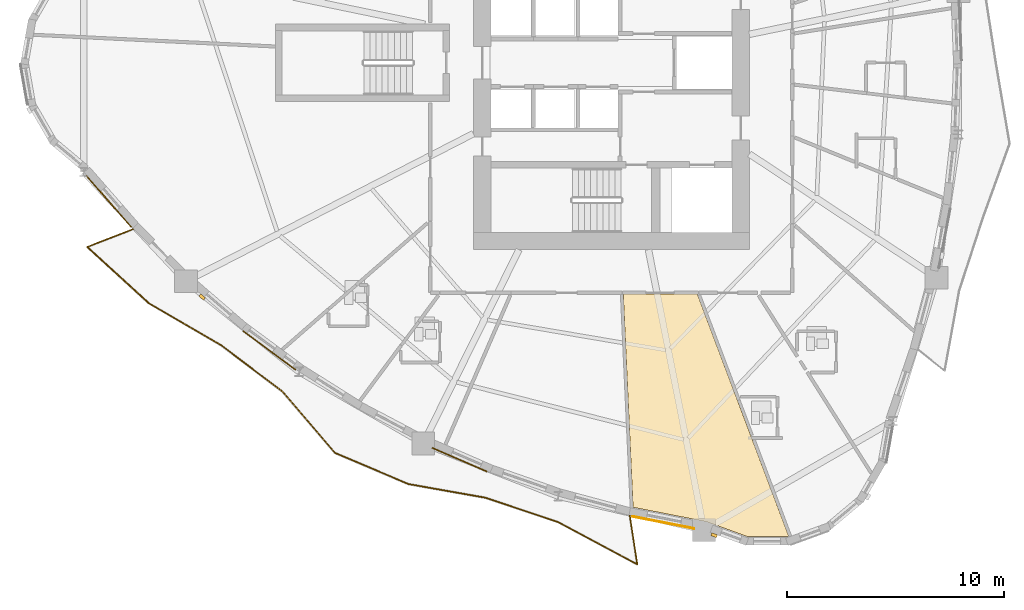
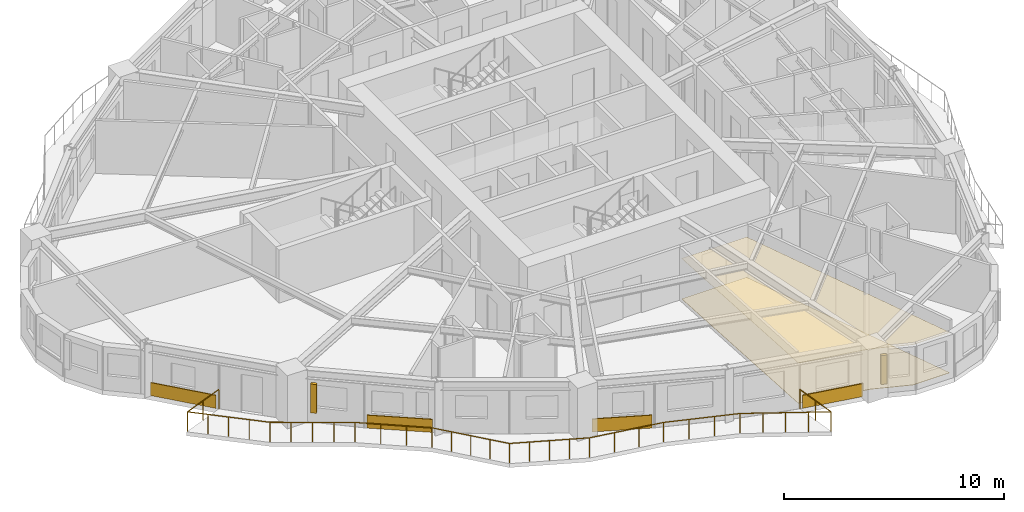
# One storey, part 11 of 14: 6 coverings, 2 shading devices, 1 railing.
"""IFC4 building model written with IfcOpenShell, lengths in metres."""

import ifcopenshell
import ifcopenshell.guid

model = None  # the IFC model being written
_history = None  # IfcOwnerHistory: only IFC2X3 demands one
_inside = {}  # id of a spatial element -> (the spatial element, [elements in it])
_under = {}  # id of a project, library or spatial element -> (it, [spatial elements below it])
_declared = {}  # id of a project -> (the project, [libraries it declares])
_typed = {}  # id of a type object -> (the type object, [elements of that type])
_made_of = {}  # id of a material, layer set ... -> (it, [elements and type objects made of it])


def new_model(schema):
    """Start an empty IFC model of exactly this schema.

    Asked for "IFC4X3", IfcOpenShell would pick the latest addendum, in which some entities
    have other attributes; the version numbers below select the first issue.
    IFC2X3 requires an IfcOwnerHistory on every rooted entity: one is made here for all.
    """
    global model, _history
    if schema == "IFC4X3":
        model = ifcopenshell.file(schema_version=(4, 3, 0, 0))
    else:
        model = ifcopenshell.file(schema=schema)
    _inside.clear()
    _under.clear()
    _declared.clear()
    _typed.clear()
    _made_of.clear()
    _history = None
    if model.schema == "IFC2X3":
        org = make("IfcOrganization", Name="unknown")
        user = make(
            "IfcPersonAndOrganization",
            ThePerson=make("IfcPerson", FamilyName="unknown"),
            TheOrganization=org,
        )
        app = make(
            "IfcApplication",
            ApplicationDeveloper=org,
            Version="unknown",
            ApplicationFullName="unknown",
            ApplicationIdentifier="unknown",
        )
        _history = make(
            "IfcOwnerHistory",
            OwningUser=user,
            OwningApplication=app,
            ChangeAction="ADDED",
            CreationDate=0,
        )
    return model


def make(cls, **values):
    """One entity of the class cls with the attributes given. An attribute that is None is left unset."""
    return model.create_entity(
        cls, **{name: value for name, value in values.items() if value is not None}
    )


def rooted(cls, **values):
    """An entity with a GlobalId (a new one), such as an element, a storey or a relation."""
    return make(cls, GlobalId=ifcopenshell.guid.new(), OwnerHistory=_history, **values)


def si_unit(unit_type, name, prefix=None):
    """IfcSIUnit, for example si_unit("LENGTHUNIT", "METRE", prefix="MILLI")."""
    return make("IfcSIUnit", UnitType=unit_type, Prefix=prefix, Name=name)


def assignment(units):
    """IfcUnitAssignment: the units of a project."""
    return None if units is None else make("IfcUnitAssignment", Units=units)


def point(xyz):
    """IfcCartesianPoint."""
    return None if xyz is None else make("IfcCartesianPoint", Coordinates=xyz)


def direction(xyz):
    """IfcDirection."""
    return None if xyz is None else make("IfcDirection", DirectionRatios=xyz)


def frame(location, z_axis=None, x_axis=None):
    """IfcAxis2Placement3D, a coordinate frame: its origin and axes. An axis left out is left unset."""
    return make(
        "IfcAxis2Placement3D",
        Location=point(location),
        Axis=direction(z_axis),
        RefDirection=direction(x_axis),
    )


def frame_2d(location, x_axis=None):
    """IfcAxis2Placement2D, a coordinate frame in the plane: its origin and x axis."""
    return make(
        "IfcAxis2Placement2D", Location=point(location), RefDirection=direction(x_axis)
    )


def origin():
    """The frame at (0, 0, 0) with its axes left unset."""
    return frame((0.0, 0.0, 0.0))


def origin_2d():
    """The frame at (0, 0) in the plane with its x axis left unset."""
    return frame_2d((0.0, 0.0))


def place(relative_to, where):
    """IfcLocalPlacement: puts the frame where relative to a parent placement (None: the world)."""
    return make(
        "IfcLocalPlacement", PlacementRelTo=relative_to, RelativePlacement=where
    )


def context(
    kind, dimensions, precision=None, world=None, true_north=None, identifier=None
):
    """IfcGeometricRepresentationContext, for example the 3D "Model" context."""
    return make(
        "IfcGeometricRepresentationContext",
        ContextIdentifier=identifier,
        ContextType=kind,
        CoordinateSpaceDimension=dimensions,
        Precision=precision,
        WorldCoordinateSystem=world,
        TrueNorth=true_north,
    )


def subcontext(parent, identifier, kind, view, scale=None):
    """IfcGeometricRepresentationSubContext, for example "Body" below "Model"."""
    return make(
        "IfcGeometricRepresentationSubContext",
        ContextIdentifier=identifier,
        ContextType=kind,
        ParentContext=parent,
        TargetScale=scale,
        TargetView=view,
    )


def project(units=None, contexts=None):
    """IfcProject with its units and contexts."""
    return rooted(
        "IfcProject",
        Name="project",
        RepresentationContexts=contexts,
        UnitsInContext=assignment(units),
    )


def spatial(cls, under=None, at=None, **own):
    """A site, building, storey or space (cls), placed at a placement, below another one or the project."""
    s = rooted(cls, ObjectPlacement=at, **own)
    if under is not None:
        _under.setdefault(under.id(), (under, []))[1].append(s)
    return s


def polyline(points):
    """IfcPolyline through the points."""
    return make("IfcPolyline", Points=[point(p) for p in points])


def profile(cls, at=None, kind="AREA", **sizes):
    """A parametric profile (cls). Its sizes go by their IFC names, for example OverallWidth=200.0."""
    return make(cls, ProfileType=kind, Position=at, **sizes)


def rectangle(**sizes):
    """IfcRectangleProfileDef."""
    return profile("IfcRectangleProfileDef", **sizes)


def circle(**sizes):
    """IfcCircleProfileDef."""
    return profile("IfcCircleProfileDef", **sizes)


def outline(outer, holes=None, kind="AREA"):
    """IfcArbitraryClosedProfileDef: a profile drawn as a closed curve; with holes, ...WithVoids."""
    if holes is None:
        return make("IfcArbitraryClosedProfileDef", ProfileType=kind, OuterCurve=outer)
    return make(
        "IfcArbitraryProfileDefWithVoids",
        ProfileType=kind,
        OuterCurve=outer,
        InnerCurves=holes,
    )


def extrude(swept, where, along, depth):
    """IfcExtrudedAreaSolid: the profile swept, set in the frame where, extruded along a direction by depth."""
    return make(
        "IfcExtrudedAreaSolid",
        SweptArea=swept,
        Position=where,
        ExtrudedDirection=direction(along),
        Depth=depth,
    )


def shape(context_of_items, identifier, shape_type, items):
    """IfcShapeRepresentation: the items that make up one representation, for example the "Body"."""
    return make(
        "IfcShapeRepresentation",
        ContextOfItems=context_of_items,
        RepresentationIdentifier=identifier,
        RepresentationType=shape_type,
        Items=items,
    )


def source(mapping_origin, context_of_items, identifier, shape_type, items):
    """IfcRepresentationMap: a shape defined once, which mapped items show again and again."""
    return make(
        "IfcRepresentationMap",
        MappingOrigin=mapping_origin,
        MappedRepresentation=shape(context_of_items, identifier, shape_type, items),
    )


def transform(
    local_origin,
    x_axis=None,
    y_axis=None,
    z_axis=None,
    scale=None,
    scale2=None,
    scale3=None,
    uniform=True,
):
    """IfcCartesianTransformationOperator3D, or its non-uniform kind. x_axis, y_axis, z_axis: its Axis1, 2, 3."""
    if uniform:
        return make(
            "IfcCartesianTransformationOperator3D",
            Axis1=direction(x_axis),
            Axis2=direction(y_axis),
            LocalOrigin=point(local_origin),
            Scale=scale,
            Axis3=direction(z_axis),
        )
    return make(
        "IfcCartesianTransformationOperator3DnonUniform",
        Axis1=direction(x_axis),
        Axis2=direction(y_axis),
        LocalOrigin=point(local_origin),
        Scale=scale,
        Axis3=direction(z_axis),
        Scale2=scale2,
        Scale3=scale3,
    )


def mapped(mapping_source, mapping_target):
    """IfcMappedItem: shows the shape of a source again, moved by a transform."""
    return make(
        "IfcMappedItem", MappingSource=mapping_source, MappingTarget=mapping_target
    )


def material(Name=None, Category=None):
    """IfcMaterial."""
    return make("IfcMaterial", Name=Name, Category=Category)


def layer(
    of_material, thickness, ventilated=None, Name=None, Category=None, Priority=None
):
    """IfcMaterialLayer: one layer of a wall or slab, of a material (None: an air gap)."""
    return make(
        "IfcMaterialLayer",
        Material=of_material,
        LayerThickness=thickness,
        IsVentilated=ventilated,
        Name=Name,
        Category=Category,
        Priority=Priority,
    )


def layer_set(layers, Name=None):
    """IfcMaterialLayerSet."""
    return make("IfcMaterialLayerSet", MaterialLayers=layers, LayerSetName=Name)


def made_of(thing, what):
    """Note that an element or type object is made of a material, layer set ...; save() writes the relation."""
    if what is not None:
        _made_of.setdefault(what.id(), (what, []))[1].append(thing)
    return thing


def type_object(cls, material=None, **own):
    """A type object (cls), such as IfcWallType, which elements share."""
    return made_of(rooted(cls, **own), material)


def element(
    cls,
    number,
    at=None,
    inside=None,
    cuts=None,
    type_object=None,
    material=None,
    context=None,
    identifier="Body",
    shape_type=None,
    held_by="IfcProductDefinitionShape",
    body=None,
    shapes=None,
    **own,
):
    """One element of the class cls, such as IfcWall. Its Tag is "e" and its number.

    at: its placement. inside: the storey or other place that contains it. cuts: it is an
    opening in that element (IfcRelVoidsElement). A single representation is given by context,
    identifier, shape_type and body (its items); several are given by shapes. held_by: the class
    of the entity that holds the representations. save() writes the other relations.
    """
    e = rooted(cls, Tag="e%d" % number, ObjectPlacement=at, **own)
    if body is not None:
        shapes = [shape(context, identifier, shape_type, body)]
    if shapes is not None:
        e.Representation = make(held_by, Representations=shapes)
    if inside is not None:
        _inside.setdefault(inside.id(), (inside, []))[1].append(e)
    if cuts is not None:
        rooted(
            "IfcRelVoidsElement", RelatingBuildingElement=cuts, RelatedOpeningElement=e
        )
    if type_object is not None:
        _typed.setdefault(type_object.id(), (type_object, []))[1].append(e)
    return made_of(e, material)


def aggregate(whole, parts):
    """IfcRelAggregates: a whole, such as a stair, and the parts it consists of."""
    return rooted("IfcRelAggregates", RelatingObject=whole, RelatedObjects=parts)


def save(model, path):
    """Write the relations noted so far, then the file.

    IfcRelAggregates (storeys below a building ...), IfcRelContainedInSpatialStructure (elements
    in a storey), IfcRelDefinesByType, IfcRelAssociatesMaterial and IfcRelDeclares: one each for
    every whole, place, type object, material and project.
    """
    for whole, parts in _under.values():
        aggregate(whole, parts)
    for where, things in _inside.values():
        rooted(
            "IfcRelContainedInSpatialStructure",
            RelatedElements=things,
            RelatingStructure=where,
        )
    for kind, things in _typed.values():
        rooted("IfcRelDefinesByType", RelatedObjects=things, RelatingType=kind)
    for what, things in _made_of.values():
        rooted("IfcRelAssociatesMaterial", RelatedObjects=things, RelatingMaterial=what)
    for by, libraries in _declared.values():
        rooted("IfcRelDeclares", RelatingContext=by, RelatedDefinitions=libraries)
    model.write(path)


model = new_model("IFC4")

# Units and contexts
model_context = context("Model", 3, precision=1e-05, world=origin(), true_north=direction((0.0, 1.0)))
body_context = subcontext(model_context, "Body", "Model", "MODEL_VIEW")
ifc_project = project(units=[si_unit("LENGTHUNIT", "METRE"), si_unit("AREAUNIT", "SQUARE_METRE"), si_unit("VOLUMEUNIT", "CUBIC_METRE"), si_unit("PLANEANGLEUNIT", "RADIAN"), si_unit("MASSUNIT", "GRAM", prefix="KILO")], contexts=[model_context])

# Site, building, storey
site_placement = place(None, origin())
site = spatial("IfcSite", under=ifc_project, at=site_placement, CompositionType="ELEMENT")
building_placement = place(site_placement, origin())
building = spatial("IfcBuilding", under=site, at=building_placement, Name="Qafzar Sky-Pleat Residences", CompositionType="ELEMENT")
storey_placement = place(building_placement, frame((0.0, 0.0, 39.800048828125)))
storey = spatial("IfcBuildingStorey", under=building, at=storey_placement, Name="L11", CompositionType="ELEMENT", Elevation=39.800048828125)

# Coverings
ifc_material_1 = material(Name="Perforated acoustic gypsum board ceiling")
ifc_layer_1 = layer(ifc_material_1, 0.02001953125)
ifc_layer_set_1 = layer_set([ifc_layer_1], Name="Perforated acoustic gypsum board ceiling")
covering_type_1 = type_object("IfcCoveringType", Name="COV-CEIL-ACOUSTIC", PredefinedType="CEILING", material=ifc_layer_set_1)
covering_1_placement = place(storey_placement, frame((0.0, 0.0, 2.239990234375)))
element("IfcCovering", 1, at=covering_1_placement, inside=storey, type_object=covering_type_1, Name="L11 Co-Living Lounge Acoustic Ceiling", PredefinedType="CEILING", context=body_context, shape_type="SweptSolid", body=[
    extrude(outline(polyline([(38.4541015625, 4.203369140625), (36.580810546875, 4.203369140625), (34.72509765625, 4.87890625), (31.346923828125, 5.542724609375), (30.897216796875, 15.360107421875), (34.303955078125, 15.360107421875), (38.50927734375, 4.223388671875), (38.4541015625, 4.203369140625)])), origin(), (0.0, 0.0, 1.0), 0.02001953125),
])
ifc_material_2 = material(Name="Honed porcelain and Riyadh stone tile flooring", Category="masonry")
ifc_layer_2 = layer(ifc_material_2, 0.02001953125)
ifc_layer_set_2 = layer_set([ifc_layer_2], Name="Honed porcelain and Riyadh stone tile flooring")
covering_type_2 = type_object("IfcCoveringType", Name="COV-FLR-PORCELAIN", PredefinedType="FLOORING", material=ifc_layer_set_2)
covering_2_placement = place(storey_placement, origin())
element("IfcCovering", 2, at=covering_2_placement, inside=storey, type_object=covering_type_2, Name="L11 Co-Living Lounge Honed Stone Flooring", PredefinedType="FLOORING", context=body_context, shape_type="SweptSolid", body=[
    extrude(outline(polyline([(38.4541015625, 4.203369140625), (36.580810546875, 4.203369140625), (34.72509765625, 4.87890625), (31.346923828125, 5.542724609375), (30.897216796875, 15.360107421875), (34.303955078125, 15.360107421875), (38.50927734375, 4.223388671875), (38.4541015625, 4.203369140625)])), origin(), (0.0, 0.0, 1.0), 0.02001953125),
])

# Shading devices
ifc_material_3 = material(Name="Honed Riyadh limestone solar fin", Category="masonry")
ifc_layer_3 = layer(ifc_material_3, 0.139892578125)
ifc_layer_set_3 = layer_set([ifc_layer_3], Name="Honed Riyadh limestone solar fin")
shading_device_type = type_object("IfcShadingDeviceType", Name="SHD-FIN-STONE", PredefinedType="SHUTTER", material=ifc_layer_set_3)
shared_shape_1 = source(origin(), body_context, "Body", "SweptSolid", [
    extrude(rectangle(XDim=0.139892578125, YDim=0.280029296875, at=origin_2d()), origin(), (0.0, 0.0, 1.0), 1.60009765625),
])
for number, where, z_axis, x_axis, name in (
    (3, (11.516357421875, 15.2177734375, 0.599853515625), (0.0, 0.0, 1.0), (-0.652860043675, -0.757478556378, 0.0), "L11 Limestone Solar Fin 9"),
    (4, (35.080322265625, 4.254638671875, 0.599853515625), (0.0, 0.0, 1.0), (-0.342053959704, -0.939680311942, 0.0), "L11 Limestone Solar Fin 17"),
):
    element("IfcShadingDevice", number, at=place(storey_placement, frame(where, z_axis=z_axis, x_axis=x_axis)), inside=storey, type_object=shading_device_type, Name=name, PredefinedType="SHUTTER", context=body_context, shape_type="MappedRepresentation", body=[
        mapped(shared_shape_1, transform((0.0, 0.0, 0.0), x_axis=(1.0, 0.0, 0.0), y_axis=(0.0, 1.0, 0.0), z_axis=(0.0, 0.0, 1.0), scale=1.0)),
    ])

# Coverings
ifc_material_4 = material(Name="Honed Riyadh Tuwaiq limestone cladding", Category="masonry")
ifc_layer_4 = layer(ifc_material_4, 0.044921875)
ifc_layer_set_4 = layer_set([ifc_layer_4], Name="Honed Riyadh Tuwaiq limestone cladding")
covering_type_3 = type_object("IfcCoveringType", Name="COV-CLAD-STONE", PredefinedType="CLADDING", material=ifc_layer_set_4)
shared_shape_2 = source(origin(), body_context, "Body", "SweptSolid", [
    extrude(rectangle(XDim=2.750732421875, YDim=0.044921875, at=origin_2d()), origin(), (0.0, 0.0, 1.0), 0.719970703125),
])
covering_3_placement = place(storey_placement, frame((23.36083984375, 7.733154296875, 0.02001953125), z_axis=(0.0, 0.0, 1.0), x_axis=(0.917076298209, -0.398711754609, 0.0)))
element("IfcCovering", 5, at=covering_3_placement, inside=storey, type_object=covering_type_3, Name="L11 Riyadh Limestone Spandrel Cladding 13", PredefinedType="CLADDING", context=body_context, shape_type="MappedRepresentation", body=[
    mapped(shared_shape_2, transform((0.0, 0.0, 0.0), x_axis=(1.0, 0.0, 0.0), y_axis=(0.0, 1.0, 0.0), z_axis=(0.0, 0.0, 1.0), scale=1.0)),
])
shared_shape_3 = source(origin(), body_context, "Body", "SweptSolid", [
    extrude(rectangle(XDim=3.002685546875, YDim=0.044921875, at=origin_2d()), origin(), (0.0, 0.0, 1.0), 0.719970703125),
])
covering_4_placement = place(storey_placement, frame((14.612548828125, 12.765625, 0.02001953125), z_axis=(0.0, 0.0, 1.0), x_axis=(0.80380721377, -0.594889874759, 0.0)))
element("IfcCovering", 6, at=covering_4_placement, inside=storey, type_object=covering_type_3, Name="L11 Riyadh Limestone Spandrel Cladding 10", PredefinedType="CLADDING", context=body_context, shape_type="MappedRepresentation", body=[
    mapped(shared_shape_3, transform((0.0, 0.0, 0.0), x_axis=(1.0, 0.0, 0.0), y_axis=(0.0, 1.0, 0.0), z_axis=(0.0, 0.0, 1.0), scale=1.0)),
])

# Railing
ifc_material_5 = material(Name="Laminated glass and bronze steel balustrade", Category="steel")
railing_type = type_object("IfcRailingType", Name="RAIL-BAL-1100", PredefinedType="BALUSTRADE", material=ifc_material_5)
shared_shape_4 = source(origin(), body_context, "Body", "SweptSolid", [
    extrude(circle(Radius=0.02392578125, at=origin_2d()), frame((0.0, 0.0, 1.076171875), z_axis=(-0.93187749249, -0.362773123302, 0.0), x_axis=(0.362773123302, -0.93187749249, 0.0)), (0.0, 0.0, 1.0), 2.270751953125),
    extrude(circle(Radius=0.02392578125, at=origin_2d()), frame((-2.115966796875, -0.82373046875, 1.076171875), z_axis=(0.738061478164, -0.674733469194, 0.0), x_axis=(0.674733469194, 0.738061478164, 0.0)), (0.0, 0.0, 1.0), 3.828125),
    extrude(circle(Radius=0.02392578125, at=origin_2d()), frame((0.70947265625, -3.40673828125, 1.076171875), z_axis=(0.864034834145, -0.503432026577, 0.0), x_axis=(0.503432026577, 0.864034834145, 0.0)), (0.0, 0.0, 1.0), 3.873291015625),
    extrude(circle(Radius=0.02392578125, at=origin_2d()), frame((4.05615234375, -5.356689453125, 1.076171875), z_axis=(0.79850903917, -0.601982818994, 0.0), x_axis=(0.601982818994, 0.79850903917, 0.0)), (0.0, 0.0, 1.0), 3.523193359375),
    extrude(circle(Radius=0.02392578125, at=origin_2d()), frame((6.869384765625, -7.4775390625, 1.076171875), z_axis=(0.650483171252, -0.75952066721, 0.0), x_axis=(0.75952066721, 0.650483171252, 0.0)), (0.0, 0.0, 1.0), 3.718994140625),
    extrude(circle(Radius=0.02392578125, at=origin_2d()), frame((9.28857421875, -10.30224609375, 1.076171875), z_axis=(0.920642534408, -0.390406613466, 0.0), x_axis=(0.390406613466, 0.920642534408, 0.0)), (0.0, 0.0, 1.0), 3.677001953125),
    extrude(circle(Radius=0.02392578125, at=origin_2d()), frame((12.673828125, -11.73779296875, 1.076171875), z_axis=(0.984632373973, -0.174639881253, 0.0), x_axis=(0.174639881253, 0.984632373973, 0.0)), (0.0, 0.0, 1.0), 3.569091796875),
    extrude(circle(Radius=0.02392578125, at=origin_2d()), frame((16.18798828125, -12.361083984375, 1.076171875), z_axis=(0.948566262118, -0.316578657479, 0.0), x_axis=(0.316578657479, 0.948566262118, 0.0)), (0.0, 0.0, 1.0), 3.54833984375),
    extrude(circle(Radius=0.02392578125, at=origin_2d()), frame((19.5537109375, -13.484375, 1.076171875), z_axis=(0.881243003692, -0.472663483298, 0.0), x_axis=(0.472663483298, 0.881243003692, 0.0)), (0.0, 0.0, 1.0), 4.137451171875),
    extrude(circle(Radius=0.02392578125, at=origin_2d()), frame((23.19970703125, -15.43994140625, 1.076171875), z_axis=(-0.151798667183, 0.9884114349, 0.0), x_axis=(-0.9884114349, -0.151798667183, 0.0)), (0.0, 0.0, 1.0), 2.27099609375),
    extrude(circle(Radius=0.02099609375, at=origin_2d()), origin(), (0.0, 0.0, 1.0), 1.052001953125),
    extrude(circle(Radius=0.02099609375, at=origin_2d()), frame((-1.05810546875, -0.411865234375, 0.0)), (0.0, 0.0, 1.0), 1.052001953125),
    extrude(circle(Radius=0.02099609375, at=origin_2d()), frame((-2.115966796875, -0.82373046875, 0.0)), (0.0, 0.0, 1.0), 1.052001953125),
    extrude(circle(Radius=0.02099609375, at=origin_2d()), frame((-1.40966796875, -1.469482421875, 0.0)), (0.0, 0.0, 1.0), 1.052001953125),
    extrude(circle(Radius=0.02099609375, at=origin_2d()), frame((-0.703125, -2.115234375, 0.0)), (0.0, 0.0, 1.0), 1.052001953125),
    extrude(circle(Radius=0.02099609375, at=origin_2d()), frame((0.003173828125, -2.760986328125, 0.0)), (0.0, 0.0, 1.0), 1.052001953125),
    extrude(circle(Radius=0.02099609375, at=origin_2d()), frame((0.70947265625, -3.40673828125, 0.0)), (0.0, 0.0, 1.0), 1.052001953125),
    extrude(circle(Radius=0.02099609375, at=origin_2d()), frame((1.546142578125, -3.894287109375, 0.0)), (0.0, 0.0, 1.0), 1.052001953125),
    extrude(circle(Radius=0.02099609375, at=origin_2d()), frame((2.3828125, -4.3818359375, 0.0)), (0.0, 0.0, 1.0), 1.052001953125),
    extrude(circle(Radius=0.02099609375, at=origin_2d()), frame((3.219482421875, -4.869140625, 0.0)), (0.0, 0.0, 1.0), 1.052001953125),
    extrude(circle(Radius=0.02099609375, at=origin_2d()), frame((4.05615234375, -5.356689453125, 0.0)), (0.0, 0.0, 1.0), 1.052001953125),
    extrude(circle(Radius=0.02099609375, at=origin_2d()), frame((4.993896484375, -6.063720703125, 0.0)), (0.0, 0.0, 1.0), 1.052001953125),
    extrude(circle(Radius=0.02099609375, at=origin_2d()), frame((5.931640625, -6.7705078125, 0.0)), (0.0, 0.0, 1.0), 1.052001953125),
    extrude(circle(Radius=0.02099609375, at=origin_2d()), frame((6.869384765625, -7.4775390625, 0.0)), (0.0, 0.0, 1.0), 1.052001953125),
    extrude(circle(Radius=0.02099609375, at=origin_2d()), frame((7.47412109375, -8.18359375, 0.0)), (0.0, 0.0, 1.0), 1.052001953125),
    extrude(circle(Radius=0.02099609375, at=origin_2d()), frame((8.0791015625, -8.889892578125, 0.0)), (0.0, 0.0, 1.0), 1.052001953125),
    extrude(circle(Radius=0.02099609375, at=origin_2d()), frame((8.683837890625, -9.59619140625, 0.0)), (0.0, 0.0, 1.0), 1.052001953125),
    extrude(circle(Radius=0.02099609375, at=origin_2d()), frame((9.28857421875, -10.30224609375, 0.0)), (0.0, 0.0, 1.0), 1.052001953125),
    extrude(circle(Radius=0.02099609375, at=origin_2d()), frame((10.134765625, -10.6611328125, 0.0)), (0.0, 0.0, 1.0), 1.052001953125),
    extrude(circle(Radius=0.02099609375, at=origin_2d()), frame((10.981201171875, -11.02001953125, 0.0)), (0.0, 0.0, 1.0), 1.052001953125),
    extrude(circle(Radius=0.02099609375, at=origin_2d()), frame((11.82763671875, -11.37890625, 0.0)), (0.0, 0.0, 1.0), 1.052001953125),
    extrude(circle(Radius=0.02099609375, at=origin_2d()), frame((12.673828125, -11.73779296875, 0.0)), (0.0, 0.0, 1.0), 1.052001953125),
    extrude(circle(Radius=0.02099609375, at=origin_2d()), frame((13.84521484375, -11.945556640625, 0.0)), (0.0, 0.0, 1.0), 1.052001953125),
    extrude(circle(Radius=0.02099609375, at=origin_2d()), frame((15.0166015625, -12.1533203125, 0.0)), (0.0, 0.0, 1.0), 1.052001953125),
    extrude(circle(Radius=0.02099609375, at=origin_2d()), frame((16.18798828125, -12.361083984375, 0.0)), (0.0, 0.0, 1.0), 1.052001953125),
    extrude(circle(Radius=0.02099609375, at=origin_2d()), frame((17.309814453125, -12.735595703125, 0.0)), (0.0, 0.0, 1.0), 1.052001953125),
    extrude(circle(Radius=0.02099609375, at=origin_2d()), frame((18.431884765625, -13.10986328125, 0.0)), (0.0, 0.0, 1.0), 1.052001953125),
    extrude(circle(Radius=0.02099609375, at=origin_2d()), frame((19.5537109375, -13.484375, 0.0)), (0.0, 0.0, 1.0), 1.052001953125),
    extrude(circle(Radius=0.02099609375, at=origin_2d()), frame((20.46533203125, -13.97314453125, 0.0)), (0.0, 0.0, 1.0), 1.052001953125),
    extrude(circle(Radius=0.02099609375, at=origin_2d()), frame((21.376708984375, -14.462158203125, 0.0)), (0.0, 0.0, 1.0), 1.052001953125),
    extrude(circle(Radius=0.02099609375, at=origin_2d()), frame((22.2880859375, -14.951171875, 0.0)), (0.0, 0.0, 1.0), 1.052001953125),
    extrude(circle(Radius=0.02099609375, at=origin_2d()), frame((23.19970703125, -15.43994140625, 0.0)), (0.0, 0.0, 1.0), 1.052001953125),
    extrude(circle(Radius=0.02099609375, at=origin_2d()), frame((23.02734375, -14.317626953125, 0.0)), (0.0, 0.0, 1.0), 1.052001953125),
    extrude(circle(Radius=0.02099609375, at=origin_2d()), frame((22.85498046875, -13.1953125, 0.0)), (0.0, 0.0, 1.0), 1.052001953125),
])
railing_placement = place(storey_placement, frame((8.34521484375, 18.34765625, 0.0)))
element("IfcRailing", 7, at=railing_placement, inside=storey, type_object=railing_type, Name="L11 Pleated Balcony 3 Balustrade", PredefinedType="BALUSTRADE", context=body_context, shape_type="MappedRepresentation", body=[
    mapped(shared_shape_4, transform((0.0, 0.0, 0.0), x_axis=(1.0, 0.0, 0.0), y_axis=(0.0, 1.0, 0.0), z_axis=(0.0, 0.0, 1.0), scale=1.0)),
])

# Coverings
shared_shape_5 = source(origin(), body_context, "Body", "SweptSolid", [
    extrude(rectangle(XDim=3.152099609375, YDim=0.044921875, at=origin_2d()), origin(), (0.0, 0.0, 1.0), 0.719970703125),
])
covering_5_placement = place(storey_placement, frame((7.213134765625, 19.62841796875, 0.02001953125), z_axis=(0.0, 0.0, 1.0), x_axis=(0.657632958585, -0.753338497478, 0.0)))
element("IfcCovering", 8, at=covering_5_placement, inside=storey, type_object=covering_type_3, Name="L11 Riyadh Limestone Spandrel Cladding 7", PredefinedType="CLADDING", context=body_context, shape_type="MappedRepresentation", body=[
    mapped(shared_shape_5, transform((0.0, 0.0, 0.0), x_axis=(1.0, 0.0, 0.0), y_axis=(0.0, 1.0, 0.0), z_axis=(0.0, 0.0, 1.0), scale=1.0)),
])
shared_shape_6 = source(origin(), body_context, "Body", "SweptSolid", [
    extrude(rectangle(XDim=2.900146484375, YDim=0.044921875, at=origin_2d()), origin(), (0.0, 0.0, 1.0), 0.719970703125),
])
covering_6_placement = place(storey_placement, frame((32.738037109375, 4.839111328125, 0.02001953125), z_axis=(0.0, 0.0, 1.0), x_axis=(0.981236346143, -0.192808799094, 0.0)))
element("IfcCovering", 9, at=covering_6_placement, inside=storey, type_object=covering_type_3, Name="L11 Riyadh Limestone Spandrel Cladding 16", PredefinedType="CLADDING", context=body_context, shape_type="MappedRepresentation", body=[
    mapped(shared_shape_6, transform((0.0, 0.0, 0.0), x_axis=(1.0, 0.0, 0.0), y_axis=(0.0, 1.0, 0.0), z_axis=(0.0, 0.0, 1.0), scale=1.0)),
])

save(model, "model.ifc")
